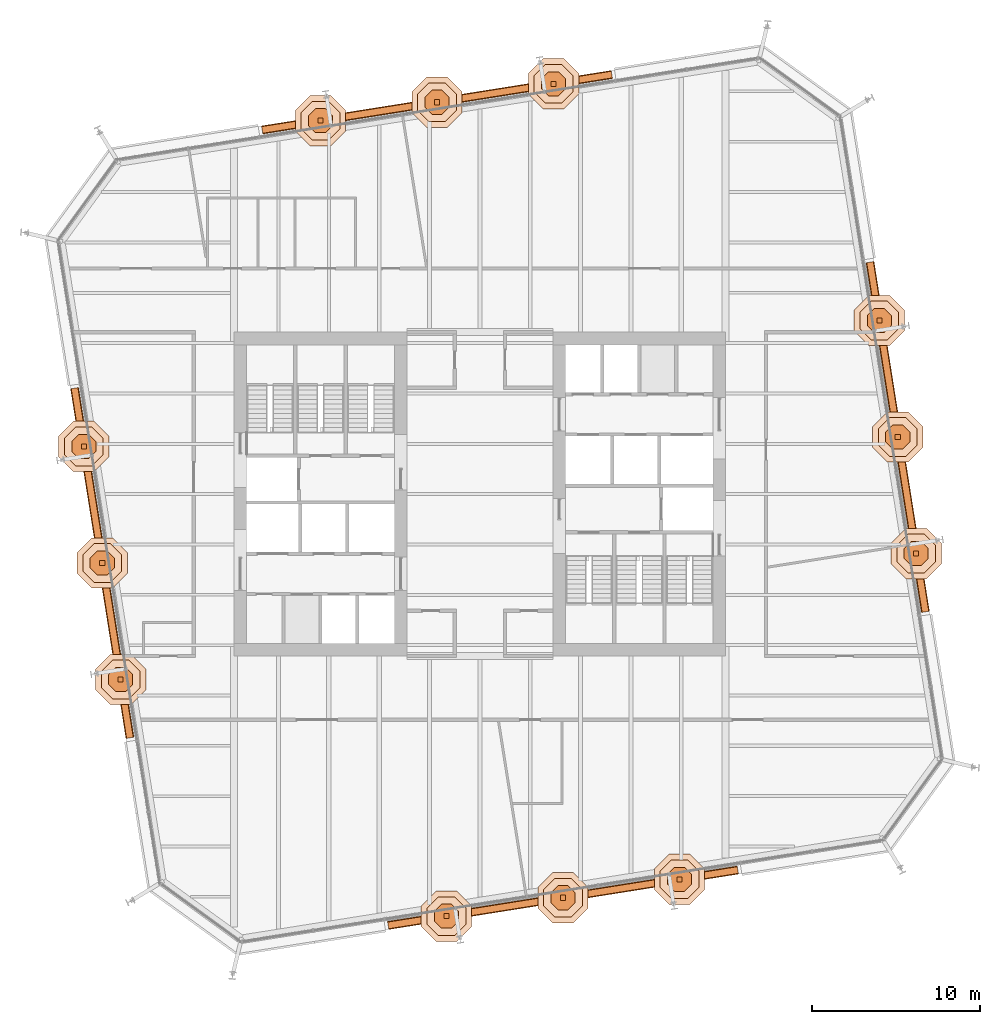
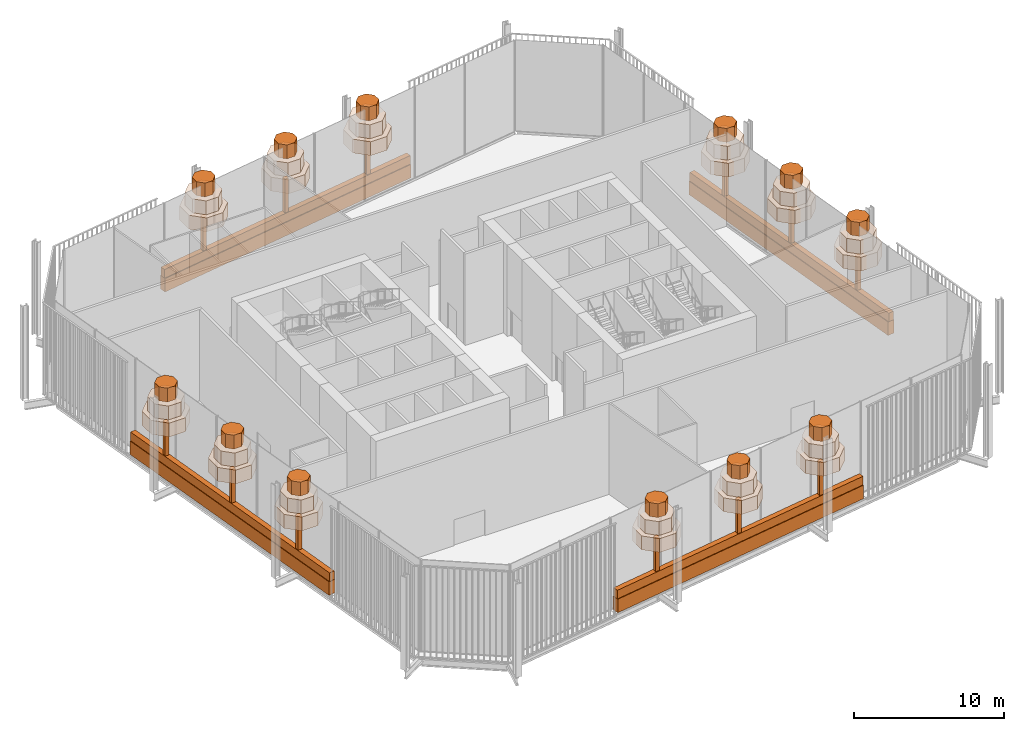
# One storey, part 19 of 19: 56 geographic elements.
"""IFC4 building model written with IfcOpenShell, lengths in metres."""

from ifc_helpers import new_model, si_unit, direction, frame, origin, origin_2d, place, context, subcontext, project, spatial, polyline, rectangle, outline, extrude, material, layer, layer_set, type_object, element, save


model = new_model("IFC4")

# Units and contexts
model_context = context("Model", 3, precision=1e-05, world=origin(), true_north=direction((0.0, 1.0)))
body_context = subcontext(model_context, "Body", "Model", "MODEL_VIEW")
ifc_project = project(units=[si_unit("LENGTHUNIT", "METRE"), si_unit("AREAUNIT", "SQUARE_METRE"), si_unit("VOLUMEUNIT", "CUBIC_METRE"), si_unit("PLANEANGLEUNIT", "RADIAN"), si_unit("MASSUNIT", "GRAM", prefix="KILO")], contexts=[model_context])

# Site, building, storey
site_placement = place(None, origin())
site = spatial("IfcSite", under=ifc_project, at=site_placement, CompositionType="ELEMENT")
building_placement = place(site_placement, origin())
building = spatial("IfcBuilding", under=site, at=building_placement, Name="Millrace Tower", CompositionType="ELEMENT")
storey_placement = place(building_placement, frame((0.0, 0.0, 172.39990234375)))
storey = spatial("IfcBuildingStorey", under=building, at=storey_placement, Name="L39", CompositionType="ELEMENT", Elevation=172.39990234375)

# Geographic elements
ifc_material_1 = material(Name="Concrete C40", Category="concrete")
ifc_layer = layer(ifc_material_1, 0.5)
ifc_layer_set = layer_set([ifc_layer], Name="Concrete C40")
geographic_element_type_1 = type_object("IfcGeographicElementType", Name="PLANTER sky garden bed 1100 high x 500 thick", PredefinedType="USERDEFINED", material=ifc_layer_set)
for number, where, z_axis, x_axis, name in (
    (1, (4.954345703125, -24.054443359375, 0.150146484375), (0.0, 0.0, 1.0), (0.98768833929, 0.15643447328, 0.0), "Planter sky garden C-F02 L39"),
    (2, (24.904541015625, 3.404541015625, 0.150146484375), (0.0, 0.0, 1.0), (-0.15643447328, 0.98768833929, 0.0), "Planter sky garden C-F04 L39"),
    (3, (-2.554443359375, 23.3544921875, 0.150146484375), (0.0, 0.0, 1.0), (-0.98768833929, -0.15643447328, 0.0), "Planter sky garden C-F06 L39"),
    (4, (-22.504638671875, -4.1044921875, 0.150146484375), (0.0, 0.0, 1.0), (0.15643447328, -0.98768833929, 0.0), "Planter sky garden C-F08 L39"),
):
    element("IfcGeographicElement", number, at=place(storey_placement, frame(where, z_axis=z_axis, x_axis=x_axis)), inside=storey, type_object=geographic_element_type_1, Name=name, ObjectType="PLANTER", PredefinedType="USERDEFINED", context=body_context, shape_type="SweptSolid", body=[
        extrude(rectangle(XDim=21.10009765625, YDim=0.5, at=origin_2d()), origin(), (0.0, 0.0, 1.0), 1.10009765625),
    ])
ifc_material_2 = material(Name="Planting shrub bed")
geographic_element_type_2 = type_object("IfcGeographicElementType", Name="Shrub bed", PredefinedType="USERDEFINED", material=ifc_material_2)
for number, where, z_axis, x_axis, name in (
    (5, (4.954345703125, -24.054443359375, 1.25), (0.0, 0.0, 1.0), (0.98768833929, 0.15643447328, 0.0), "Shrub bed C-F02-L39-860"),
    (6, (24.904541015625, 3.404541015625, 1.25), (0.0, 0.0, 1.0), (-0.15643447328, 0.98768833929, 0.0), "Shrub bed C-F04-L39-860"),
    (7, (-2.554443359375, 23.3544921875, 1.25), (0.0, 0.0, 1.0), (-0.98768833929, -0.15643447328, 0.0), "Shrub bed C-F06-L39-860"),
    (8, (-22.504638671875, -4.1044921875, 1.25), (0.0, 0.0, 1.0), (0.15643447328, -0.98768833929, 0.0), "Shrub bed C-F08-L39-860"),
):
    element("IfcGeographicElement", number, at=place(storey_placement, frame(where, z_axis=z_axis, x_axis=x_axis)), inside=storey, type_object=geographic_element_type_2, Name=name, ObjectType="SHRUB", PredefinedType="USERDEFINED", context=body_context, shape_type="SweptSolid", body=[
        extrude(rectangle(XDim=21.10009765625, YDim=0.39990234375, at=origin_2d()), origin(), (0.0, 0.0, 1.0), 0.699951171875),
    ])
ifc_material_3 = material(Name="Planting tree crown")
geographic_element_type_3 = type_object("IfcGeographicElementType", Name="Tree crown", PredefinedType="USERDEFINED", material=ifc_material_3)
placement_1 = place(storey_placement, frame((0.0, 0.0, 4.5)))
element("IfcGeographicElement", 9, at=placement_1, inside=storey, type_object=geographic_element_type_3, Name="Tree crown C-F02-L39-860-0 tier 1", ObjectType="TREE", PredefinedType="USERDEFINED", context=body_context, shape_type="SweptSolid", body=[
    extrude(outline(polyline([(-0.490966796875, -24.532958984375), (-1.37060546875, -23.653564453125), (-2.6142578125, -23.653564453125), (-3.49365234375, -24.532958984375), (-3.49365234375, -25.776611328125), (-2.6142578125, -26.656005859375), (-1.37060546875, -26.656005859375), (-0.490966796875, -25.776611328125), (-0.490966796875, -24.532958984375)])), origin(), (0.0, 0.0, 1.0), 1.125),
])
placement_2 = place(storey_placement, frame((0.0, 0.0, 5.625)))
element("IfcGeographicElement", 10, at=placement_2, inside=storey, type_object=geographic_element_type_3, Name="Tree crown C-F02-L39-860-0 tier 2", ObjectType="TREE", PredefinedType="USERDEFINED", context=body_context, shape_type="SweptSolid", body=[
    extrude(outline(polyline([(-0.83740234375, -24.676513671875), (-1.513916015625, -24.0), (-2.470703125, -24.0), (-3.147216796875, -24.676513671875), (-3.147216796875, -25.633056640625), (-2.470703125, -26.3095703125), (-1.513916015625, -26.3095703125), (-0.83740234375, -25.633056640625), (-0.83740234375, -24.676513671875)])), origin(), (0.0, 0.0, 1.0), 1.125),
])
placement_3 = place(storey_placement, frame((0.0, 0.0, 6.75)))
element("IfcGeographicElement", 11, at=placement_3, inside=storey, type_object=geographic_element_type_3, Name="Tree crown C-F02-L39-860-0 tier 3", ObjectType="TREE", PredefinedType="USERDEFINED", context=body_context, shape_type="SweptSolid", body=[
    extrude(outline(polyline([(-1.2763671875, -24.858154296875), (-1.69580078125, -24.438720703125), (-2.288818359375, -24.438720703125), (-2.708251953125, -24.858154296875), (-2.708251953125, -25.451416015625), (-2.288818359375, -25.870849609375), (-1.69580078125, -25.870849609375), (-1.2763671875, -25.451416015625), (-1.2763671875, -24.858154296875)])), origin(), (0.0, 0.0, 1.0), 1.125),
])
element("IfcGeographicElement", 12, at=placement_1, inside=storey, type_object=geographic_element_type_3, Name="Tree crown C-F02-L39-860-1 tier 1", ObjectType="TREE", PredefinedType="USERDEFINED", context=body_context, shape_type="SweptSolid", body=[
    extrude(outline(polyline([(6.455810546875, -23.4326171875), (5.576416015625, -22.55322265625), (4.33251953125, -22.55322265625), (3.453125, -23.4326171875), (3.453125, -24.676513671875), (4.33251953125, -25.555908203125), (5.576416015625, -25.555908203125), (6.455810546875, -24.676513671875), (6.455810546875, -23.4326171875)])), origin(), (0.0, 0.0, 1.0), 1.125),
])
element("IfcGeographicElement", 13, at=placement_2, inside=storey, type_object=geographic_element_type_3, Name="Tree crown C-F02-L39-860-1 tier 2", ObjectType="TREE", PredefinedType="USERDEFINED", context=body_context, shape_type="SweptSolid", body=[
    extrude(outline(polyline([(6.109375, -23.576171875), (5.432861328125, -22.899658203125), (4.47607421875, -22.899658203125), (3.799560546875, -23.576171875), (3.799560546875, -24.532958984375), (4.47607421875, -25.20947265625), (5.432861328125, -25.20947265625), (6.109375, -24.532958984375), (6.109375, -23.576171875)])), origin(), (0.0, 0.0, 1.0), 1.125),
])
element("IfcGeographicElement", 14, at=placement_3, inside=storey, type_object=geographic_element_type_3, Name="Tree crown C-F02-L39-860-1 tier 3", ObjectType="TREE", PredefinedType="USERDEFINED", context=body_context, shape_type="SweptSolid", body=[
    extrude(outline(polyline([(5.67041015625, -23.7578125), (5.2509765625, -23.33837890625), (4.65771484375, -23.33837890625), (4.23828125, -23.7578125), (4.23828125, -24.35107421875), (4.65771484375, -24.7705078125), (5.2509765625, -24.7705078125), (5.67041015625, -24.35107421875), (5.67041015625, -23.7578125)])), origin(), (0.0, 0.0, 1.0), 1.125),
])
element("IfcGeographicElement", 15, at=placement_1, inside=storey, type_object=geographic_element_type_3, Name="Tree crown C-F02-L39-860-2 tier 1", ObjectType="TREE", PredefinedType="USERDEFINED", context=body_context, shape_type="SweptSolid", body=[
    extrude(outline(polyline([(13.402587890625, -22.33251953125), (12.52294921875, -21.452880859375), (11.279296875, -21.452880859375), (10.39990234375, -22.33251953125), (10.39990234375, -23.576171875), (11.279296875, -24.45556640625), (12.52294921875, -24.45556640625), (13.402587890625, -23.576171875), (13.402587890625, -22.33251953125)])), origin(), (0.0, 0.0, 1.0), 1.125),
])
element("IfcGeographicElement", 16, at=placement_2, inside=storey, type_object=geographic_element_type_3, Name="Tree crown C-F02-L39-860-2 tier 2", ObjectType="TREE", PredefinedType="USERDEFINED", context=body_context, shape_type="SweptSolid", body=[
    extrude(outline(polyline([(13.055908203125, -22.475830078125), (12.37939453125, -21.79931640625), (11.4228515625, -21.79931640625), (10.746337890625, -22.475830078125), (10.746337890625, -23.4326171875), (11.4228515625, -24.109130859375), (12.37939453125, -24.109130859375), (13.055908203125, -23.4326171875), (13.055908203125, -22.475830078125)])), origin(), (0.0, 0.0, 1.0), 1.125),
])
element("IfcGeographicElement", 17, at=placement_3, inside=storey, type_object=geographic_element_type_3, Name="Tree crown C-F02-L39-860-2 tier 3", ObjectType="TREE", PredefinedType="USERDEFINED", context=body_context, shape_type="SweptSolid", body=[
    extrude(outline(polyline([(12.6171875, -22.65771484375), (12.19775390625, -22.23828125), (11.6044921875, -22.23828125), (11.185302734375, -22.65771484375), (11.185302734375, -23.250732421875), (11.6044921875, -23.67041015625), (12.19775390625, -23.67041015625), (12.6171875, -23.250732421875), (12.6171875, -22.65771484375)])), origin(), (0.0, 0.0, 1.0), 1.125),
])
element("IfcGeographicElement", 18, at=placement_1, inside=storey, type_object=geographic_element_type_3, Name="Tree crown C-F04-L39-860-0 tier 1", ObjectType="TREE", PredefinedType="USERDEFINED", context=body_context, shape_type="SweptSolid", body=[
    extrude(outline(polyline([(27.506103515625, -2.92041015625), (26.626708984375, -2.041015625), (25.3828125, -2.041015625), (24.50341796875, -2.92041015625), (24.50341796875, -4.164306640625), (25.3828125, -5.043701171875), (26.626708984375, -5.043701171875), (27.506103515625, -4.164306640625), (27.506103515625, -2.92041015625)])), origin(), (0.0, 0.0, 1.0), 1.125),
])
element("IfcGeographicElement", 19, at=placement_2, inside=storey, type_object=geographic_element_type_3, Name="Tree crown C-F04-L39-860-0 tier 2", ObjectType="TREE", PredefinedType="USERDEFINED", context=body_context, shape_type="SweptSolid", body=[
    extrude(outline(polyline([(27.15966796875, -3.06396484375), (26.483154296875, -2.387451171875), (25.5263671875, -2.387451171875), (24.849853515625, -3.06396484375), (24.849853515625, -4.020751953125), (25.5263671875, -4.697265625), (26.483154296875, -4.697265625), (27.15966796875, -4.020751953125), (27.15966796875, -3.06396484375)])), origin(), (0.0, 0.0, 1.0), 1.125),
])
element("IfcGeographicElement", 20, at=placement_3, inside=storey, type_object=geographic_element_type_3, Name="Tree crown C-F04-L39-860-0 tier 3", ObjectType="TREE", PredefinedType="USERDEFINED", context=body_context, shape_type="SweptSolid", body=[
    extrude(outline(polyline([(26.720703125, -3.24560546875), (26.301513671875, -2.826416015625), (25.708251953125, -2.826416015625), (25.288818359375, -3.24560546875), (25.288818359375, -3.8388671875), (25.708251953125, -4.25830078125), (26.301513671875, -4.25830078125), (26.720703125, -3.8388671875), (26.720703125, -3.24560546875)])), origin(), (0.0, 0.0, 1.0), 1.125),
])
element("IfcGeographicElement", 21, at=placement_1, inside=storey, type_object=geographic_element_type_3, Name="Tree crown C-F04-L39-860-1 tier 1", ObjectType="TREE", PredefinedType="USERDEFINED", context=body_context, shape_type="SweptSolid", body=[
    extrude(outline(polyline([(26.40576171875, 4.0263671875), (25.5263671875, 4.90576171875), (24.28271484375, 4.90576171875), (23.4033203125, 4.0263671875), (23.4033203125, 2.78271484375), (24.28271484375, 1.903076171875), (25.5263671875, 1.903076171875), (26.40576171875, 2.78271484375), (26.40576171875, 4.0263671875)])), origin(), (0.0, 0.0, 1.0), 1.125),
])
element("IfcGeographicElement", 22, at=placement_2, inside=storey, type_object=geographic_element_type_3, Name="Tree crown C-F04-L39-860-1 tier 2", ObjectType="TREE", PredefinedType="USERDEFINED", context=body_context, shape_type="SweptSolid", body=[
    extrude(outline(polyline([(26.059326171875, 3.8828125), (25.3828125, 4.559326171875), (24.42626953125, 4.559326171875), (23.749755859375, 3.8828125), (23.749755859375, 2.926025390625), (24.42626953125, 2.24951171875), (25.3828125, 2.24951171875), (26.059326171875, 2.926025390625), (26.059326171875, 3.8828125)])), origin(), (0.0, 0.0, 1.0), 1.125),
])
element("IfcGeographicElement", 23, at=placement_3, inside=storey, type_object=geographic_element_type_3, Name="Tree crown C-F04-L39-860-1 tier 3", ObjectType="TREE", PredefinedType="USERDEFINED", context=body_context, shape_type="SweptSolid", body=[
    extrude(outline(polyline([(25.62060546875, 3.700927734375), (25.201171875, 4.120361328125), (24.60791015625, 4.120361328125), (24.1884765625, 3.700927734375), (24.1884765625, 3.10791015625), (24.60791015625, 2.6884765625), (25.201171875, 2.6884765625), (25.62060546875, 3.10791015625), (25.62060546875, 3.700927734375)])), origin(), (0.0, 0.0, 1.0), 1.125),
])
element("IfcGeographicElement", 24, at=placement_1, inside=storey, type_object=geographic_element_type_3, Name="Tree crown C-F04-L39-860-2 tier 1", ObjectType="TREE", PredefinedType="USERDEFINED", context=body_context, shape_type="SweptSolid", body=[
    extrude(outline(polyline([(25.3056640625, 10.972900390625), (24.426025390625, 11.8525390625), (23.182373046875, 11.8525390625), (22.302978515625, 10.972900390625), (22.302978515625, 9.729248046875), (23.182373046875, 8.849853515625), (24.426025390625, 8.849853515625), (25.3056640625, 9.729248046875), (25.3056640625, 10.972900390625)])), origin(), (0.0, 0.0, 1.0), 1.125),
])
element("IfcGeographicElement", 25, at=placement_2, inside=storey, type_object=geographic_element_type_3, Name="Tree crown C-F04-L39-860-2 tier 2", ObjectType="TREE", PredefinedType="USERDEFINED", context=body_context, shape_type="SweptSolid", body=[
    extrude(outline(polyline([(24.958984375, 10.82958984375), (24.28271484375, 11.506103515625), (23.325927734375, 11.506103515625), (22.6494140625, 10.82958984375), (22.6494140625, 9.872802734375), (23.325927734375, 9.1962890625), (24.28271484375, 9.1962890625), (24.958984375, 9.872802734375), (24.958984375, 10.82958984375)])), origin(), (0.0, 0.0, 1.0), 1.125),
])
element("IfcGeographicElement", 26, at=placement_3, inside=storey, type_object=geographic_element_type_3, Name="Tree crown C-F04-L39-860-2 tier 3", ObjectType="TREE", PredefinedType="USERDEFINED", context=body_context, shape_type="SweptSolid", body=[
    extrude(outline(polyline([(24.520263671875, 10.647705078125), (24.100830078125, 11.067138671875), (23.5078125, 11.067138671875), (23.08837890625, 10.647705078125), (23.08837890625, 10.0546875), (23.5078125, 9.63525390625), (24.100830078125, 9.63525390625), (24.520263671875, 10.0546875), (24.520263671875, 10.647705078125)])), origin(), (0.0, 0.0, 1.0), 1.125),
])
element("IfcGeographicElement", 27, at=placement_1, inside=storey, type_object=geographic_element_type_3, Name="Tree crown C-F06-L39-860-0 tier 1", ObjectType="TREE", PredefinedType="USERDEFINED", context=body_context, shape_type="SweptSolid", body=[
    extrude(outline(polyline([(5.8935546875, 25.07666015625), (5.01416015625, 25.9560546875), (3.7705078125, 25.9560546875), (2.89111328125, 25.07666015625), (2.89111328125, 23.8330078125), (3.7705078125, 22.95361328125), (5.01416015625, 22.95361328125), (5.8935546875, 23.8330078125), (5.8935546875, 25.07666015625)])), origin(), (0.0, 0.0, 1.0), 1.125),
])
element("IfcGeographicElement", 28, at=placement_2, inside=storey, type_object=geographic_element_type_3, Name="Tree crown C-F06-L39-860-0 tier 2", ObjectType="TREE", PredefinedType="USERDEFINED", context=body_context, shape_type="SweptSolid", body=[
    extrude(outline(polyline([(5.547119140625, 24.93310546875), (4.87060546875, 25.609619140625), (3.9140625, 25.609619140625), (3.237548828125, 24.93310546875), (3.237548828125, 23.976318359375), (3.9140625, 23.2998046875), (4.87060546875, 23.2998046875), (5.547119140625, 23.976318359375), (5.547119140625, 24.93310546875)])), origin(), (0.0, 0.0, 1.0), 1.125),
])
element("IfcGeographicElement", 29, at=placement_3, inside=storey, type_object=geographic_element_type_3, Name="Tree crown C-F06-L39-860-0 tier 3", ObjectType="TREE", PredefinedType="USERDEFINED", context=body_context, shape_type="SweptSolid", body=[
    extrude(outline(polyline([(5.1083984375, 24.75146484375), (4.68896484375, 25.1708984375), (4.095703125, 25.1708984375), (3.67626953125, 24.75146484375), (3.67626953125, 24.158203125), (4.095703125, 23.73876953125), (4.68896484375, 23.73876953125), (5.1083984375, 24.158203125), (5.1083984375, 24.75146484375)])), origin(), (0.0, 0.0, 1.0), 1.125),
])
element("IfcGeographicElement", 30, at=placement_1, inside=storey, type_object=geographic_element_type_3, Name="Tree crown C-F06-L39-860-1 tier 1", ObjectType="TREE", PredefinedType="USERDEFINED", context=body_context, shape_type="SweptSolid", body=[
    extrude(outline(polyline([(-1.052978515625, 23.976318359375), (-1.9326171875, 24.855712890625), (-3.17626953125, 24.855712890625), (-4.0556640625, 23.976318359375), (-4.0556640625, 22.732666015625), (-3.17626953125, 21.853271484375), (-1.9326171875, 21.853271484375), (-1.052978515625, 22.732666015625), (-1.052978515625, 23.976318359375)])), origin(), (0.0, 0.0, 1.0), 1.125),
])
element("IfcGeographicElement", 31, at=placement_2, inside=storey, type_object=geographic_element_type_3, Name="Tree crown C-F06-L39-860-1 tier 2", ObjectType="TREE", PredefinedType="USERDEFINED", context=body_context, shape_type="SweptSolid", body=[
    extrude(outline(polyline([(-1.399658203125, 23.8330078125), (-2.076171875, 24.509521484375), (-3.03271484375, 24.509521484375), (-3.709228515625, 23.8330078125), (-3.709228515625, 22.876220703125), (-3.03271484375, 22.19970703125), (-2.076171875, 22.19970703125), (-1.399658203125, 22.876220703125), (-1.399658203125, 23.8330078125)])), origin(), (0.0, 0.0, 1.0), 1.125),
])
element("IfcGeographicElement", 32, at=placement_3, inside=storey, type_object=geographic_element_type_3, Name="Tree crown C-F06-L39-860-1 tier 3", ObjectType="TREE", PredefinedType="USERDEFINED", context=body_context, shape_type="SweptSolid", body=[
    extrude(outline(polyline([(-1.83837890625, 23.651123046875), (-2.2578125, 24.070556640625), (-2.85107421875, 24.070556640625), (-3.2705078125, 23.651123046875), (-3.2705078125, 23.057861328125), (-2.85107421875, 22.638427734375), (-2.2578125, 22.638427734375), (-1.83837890625, 23.057861328125), (-1.83837890625, 23.651123046875)])), origin(), (0.0, 0.0, 1.0), 1.125),
])
element("IfcGeographicElement", 33, at=placement_1, inside=storey, type_object=geographic_element_type_3, Name="Tree crown C-F06-L39-860-2 tier 1", ObjectType="TREE", PredefinedType="USERDEFINED", context=body_context, shape_type="SweptSolid", body=[
    extrude(outline(polyline([(-8.0, 22.876220703125), (-8.87939453125, 23.755615234375), (-10.123046875, 23.755615234375), (-11.00244140625, 22.876220703125), (-11.00244140625, 21.63232421875), (-10.123046875, 20.7529296875), (-8.87939453125, 20.7529296875), (-8.0, 21.63232421875), (-8.0, 22.876220703125)])), origin(), (0.0, 0.0, 1.0), 1.125),
])
element("IfcGeographicElement", 34, at=placement_2, inside=storey, type_object=geographic_element_type_3, Name="Tree crown C-F06-L39-860-2 tier 2", ObjectType="TREE", PredefinedType="USERDEFINED", context=body_context, shape_type="SweptSolid", body=[
    extrude(outline(polyline([(-8.34619140625, 22.732666015625), (-9.022705078125, 23.4091796875), (-9.9794921875, 23.4091796875), (-10.656005859375, 22.732666015625), (-10.656005859375, 21.77587890625), (-9.9794921875, 21.099365234375), (-9.022705078125, 21.099365234375), (-8.34619140625, 21.77587890625), (-8.34619140625, 22.732666015625)])), origin(), (0.0, 0.0, 1.0), 1.125),
])
element("IfcGeographicElement", 35, at=placement_3, inside=storey, type_object=geographic_element_type_3, Name="Tree crown C-F06-L39-860-2 tier 3", ObjectType="TREE", PredefinedType="USERDEFINED", context=body_context, shape_type="SweptSolid", body=[
    extrude(outline(polyline([(-8.78515625, 22.55078125), (-9.20458984375, 22.97021484375), (-9.797607421875, 22.97021484375), (-10.21728515625, 22.55078125), (-10.21728515625, 21.957763671875), (-9.797607421875, 21.538330078125), (-9.20458984375, 21.538330078125), (-8.78515625, 21.957763671875), (-8.78515625, 22.55078125)])), origin(), (0.0, 0.0, 1.0), 1.125),
])
element("IfcGeographicElement", 36, at=placement_1, inside=storey, type_object=geographic_element_type_3, Name="Tree crown C-F08-L39-860-0 tier 1", ObjectType="TREE", PredefinedType="USERDEFINED", context=body_context, shape_type="SweptSolid", body=[
    extrude(outline(polyline([(-22.103515625, 3.464111328125), (-22.98291015625, 4.343505859375), (-24.2265625, 4.343505859375), (-25.106201171875, 3.464111328125), (-25.106201171875, 2.220458984375), (-24.2265625, 1.341064453125), (-22.98291015625, 1.341064453125), (-22.103515625, 2.220458984375), (-22.103515625, 3.464111328125)])), origin(), (0.0, 0.0, 1.0), 1.125),
])
element("IfcGeographicElement", 37, at=placement_2, inside=storey, type_object=geographic_element_type_3, Name="Tree crown C-F08-L39-860-0 tier 2", ObjectType="TREE", PredefinedType="USERDEFINED", context=body_context, shape_type="SweptSolid", body=[
    extrude(outline(polyline([(-22.449951171875, 3.32080078125), (-23.12646484375, 3.997314453125), (-24.0830078125, 3.997314453125), (-24.759521484375, 3.32080078125), (-24.759521484375, 2.364013671875), (-24.0830078125, 1.6875), (-23.12646484375, 1.6875), (-22.449951171875, 2.364013671875), (-22.449951171875, 3.32080078125)])), origin(), (0.0, 0.0, 1.0), 1.125),
])
element("IfcGeographicElement", 38, at=placement_3, inside=storey, type_object=geographic_element_type_3, Name="Tree crown C-F08-L39-860-0 tier 3", ObjectType="TREE", PredefinedType="USERDEFINED", context=body_context, shape_type="SweptSolid", body=[
    extrude(outline(polyline([(-22.888916015625, 3.138916015625), (-23.30810546875, 3.558349609375), (-23.9013671875, 3.558349609375), (-24.32080078125, 3.138916015625), (-24.32080078125, 2.545654296875), (-23.9013671875, 2.126220703125), (-23.30810546875, 2.126220703125), (-22.888916015625, 2.545654296875), (-22.888916015625, 3.138916015625)])), origin(), (0.0, 0.0, 1.0), 1.125),
])
element("IfcGeographicElement", 39, at=placement_1, inside=storey, type_object=geographic_element_type_3, Name="Tree crown C-F08-L39-860-1 tier 1", ObjectType="TREE", PredefinedType="USERDEFINED", context=body_context, shape_type="SweptSolid", body=[
    extrude(outline(polyline([(-21.003173828125, -3.482666015625), (-21.8828125, -2.60302734375), (-23.12646484375, -2.60302734375), (-24.005859375, -3.482666015625), (-24.005859375, -4.726318359375), (-23.12646484375, -5.605712890625), (-21.8828125, -5.605712890625), (-21.003173828125, -4.726318359375), (-21.003173828125, -3.482666015625)])), origin(), (0.0, 0.0, 1.0), 1.125),
])
element("IfcGeographicElement", 40, at=placement_2, inside=storey, type_object=geographic_element_type_3, Name="Tree crown C-F08-L39-860-1 tier 2", ObjectType="TREE", PredefinedType="USERDEFINED", context=body_context, shape_type="SweptSolid", body=[
    extrude(outline(polyline([(-21.349609375, -3.626220703125), (-22.026123046875, -2.94970703125), (-22.98291015625, -2.94970703125), (-23.659423828125, -3.626220703125), (-23.659423828125, -4.582763671875), (-22.98291015625, -5.25927734375), (-22.026123046875, -5.25927734375), (-21.349609375, -4.582763671875), (-21.349609375, -3.626220703125)])), origin(), (0.0, 0.0, 1.0), 1.125),
])
element("IfcGeographicElement", 41, at=placement_3, inside=storey, type_object=geographic_element_type_3, Name="Tree crown C-F08-L39-860-1 tier 3", ObjectType="TREE", PredefinedType="USERDEFINED", context=body_context, shape_type="SweptSolid", body=[
    extrude(outline(polyline([(-21.78857421875, -3.807861328125), (-22.2080078125, -3.388427734375), (-22.801025390625, -3.388427734375), (-23.220458984375, -3.807861328125), (-23.220458984375, -4.40087890625), (-22.801025390625, -4.8203125), (-22.2080078125, -4.8203125), (-21.78857421875, -4.40087890625), (-21.78857421875, -3.807861328125)])), origin(), (0.0, 0.0, 1.0), 1.125),
])
element("IfcGeographicElement", 42, at=placement_1, inside=storey, type_object=geographic_element_type_3, Name="Tree crown C-F08-L39-860-2 tier 1", ObjectType="TREE", PredefinedType="USERDEFINED", context=body_context, shape_type="SweptSolid", body=[
    extrude(outline(polyline([(-19.903076171875, -10.42919921875), (-20.782470703125, -9.5498046875), (-22.026123046875, -9.5498046875), (-22.905517578125, -10.42919921875), (-22.905517578125, -11.673095703125), (-22.026123046875, -12.552490234375), (-20.782470703125, -12.552490234375), (-19.903076171875, -11.673095703125), (-19.903076171875, -10.42919921875)])), origin(), (0.0, 0.0, 1.0), 1.125),
])
element("IfcGeographicElement", 43, at=placement_2, inside=storey, type_object=geographic_element_type_3, Name="Tree crown C-F08-L39-860-2 tier 2", ObjectType="TREE", PredefinedType="USERDEFINED", context=body_context, shape_type="SweptSolid", body=[
    extrude(outline(polyline([(-20.24951171875, -10.57275390625), (-20.92578125, -9.896240234375), (-21.882568359375, -9.896240234375), (-22.55908203125, -10.57275390625), (-22.55908203125, -11.529541015625), (-21.882568359375, -12.2060546875), (-20.92578125, -12.2060546875), (-20.24951171875, -11.529541015625), (-20.24951171875, -10.57275390625)])), origin(), (0.0, 0.0, 1.0), 1.125),
])
element("IfcGeographicElement", 44, at=placement_3, inside=storey, type_object=geographic_element_type_3, Name="Tree crown C-F08-L39-860-2 tier 3", ObjectType="TREE", PredefinedType="USERDEFINED", context=body_context, shape_type="SweptSolid", body=[
    extrude(outline(polyline([(-20.688232421875, -10.754638671875), (-21.107666015625, -10.335205078125), (-21.70068359375, -10.335205078125), (-22.120361328125, -10.754638671875), (-22.120361328125, -11.34765625), (-21.70068359375, -11.76708984375), (-21.107666015625, -11.76708984375), (-20.688232421875, -11.34765625), (-20.688232421875, -10.754638671875)])), origin(), (0.0, 0.0, 1.0), 1.125),
])
ifc_material_4 = material(Name="Timber trunk", Category="wood")
geographic_element_type_4 = type_object("IfcGeographicElementType", Name="Tree trunk", PredefinedType="USERDEFINED", material=ifc_material_4)
for number, where, z_axis, x_axis, name in (
    (45, (-1.992431640625, -25.15478515625, 1.9501953125), (0.0, 0.0, 1.0), (1.0, 0.0, 0.0), "Tree trunk C-F02-L39-860-0"),
    (46, (4.954345703125, -24.054443359375, 1.9501953125), (0.0, 0.0, 1.0), (1.0, 0.0, 0.0), "Tree trunk C-F02-L39-860-1"),
    (47, (11.901123046875, -22.954345703125, 1.9501953125), (0.0, 0.0, 1.0), (1.0, 0.0, 0.0), "Tree trunk C-F02-L39-860-2"),
    (48, (26.0048828125, -3.542236328125, 1.9501953125), (0.0, 0.0, 1.0), (1.0, 0.0, 0.0), "Tree trunk C-F04-L39-860-0"),
    (49, (24.904541015625, 3.404541015625, 1.9501953125), (0.0, 0.0, 1.0), (1.0, 0.0, 0.0), "Tree trunk C-F04-L39-860-1"),
    (50, (23.80419921875, 10.35107421875, 1.9501953125), (0.0, 0.0, 1.0), (1.0, 0.0, 0.0), "Tree trunk C-F04-L39-860-2"),
    (51, (4.392333984375, 24.454833984375, 1.9501953125), (0.0, 0.0, 1.0), (1.0, 0.0, 0.0), "Tree trunk C-F06-L39-860-0"),
    (52, (-2.554443359375, 23.3544921875, 1.9501953125), (0.0, 0.0, 1.0), (1.0, 0.0, 0.0), "Tree trunk C-F06-L39-860-1"),
    (53, (-9.501220703125, 22.254150390625, 1.9501953125), (0.0, 0.0, 1.0), (1.0, 0.0, 0.0), "Tree trunk C-F06-L39-860-2"),
    (54, (-23.604736328125, 2.84228515625, 1.9501953125), (0.0, 0.0, 1.0), (1.0, 0.0, 0.0), "Tree trunk C-F08-L39-860-0"),
    (55, (-22.504638671875, -4.1044921875, 1.9501953125), (0.0, 0.0, 1.0), (1.0, 0.0, 0.0), "Tree trunk C-F08-L39-860-1"),
    (56, (-21.404296875, -11.05126953125, 1.9501953125), (0.0, 0.0, 1.0), (1.0, 0.0, 0.0), "Tree trunk C-F08-L39-860-2"),
):
    element("IfcGeographicElement", number, at=place(storey_placement, frame(where, z_axis=z_axis, x_axis=x_axis)), inside=storey, type_object=geographic_element_type_4, Name=name, ObjectType="TREE", PredefinedType="USERDEFINED", context=body_context, shape_type="SweptSolid", body=[
        extrude(rectangle(XDim=0.300048828125, YDim=0.300048828125, at=origin_2d()), origin(), (0.0, 0.0, 1.0), 2.75),
    ])

save(model, "model.ifc")
